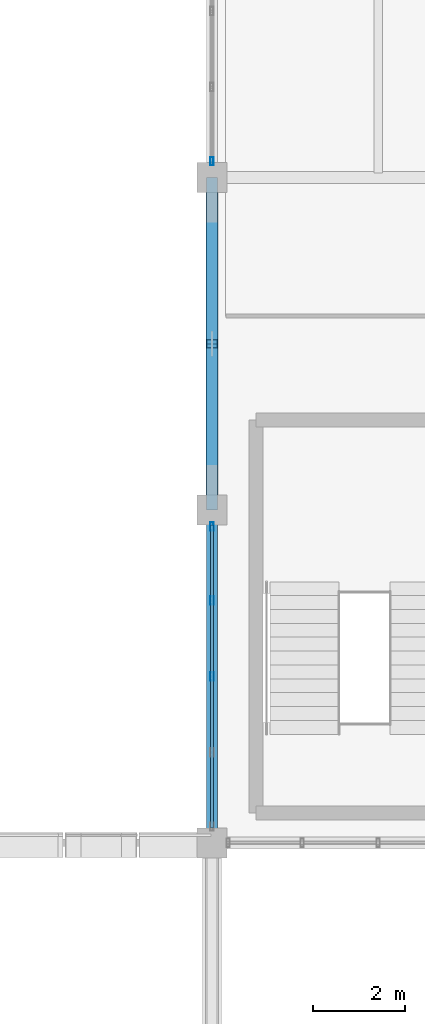
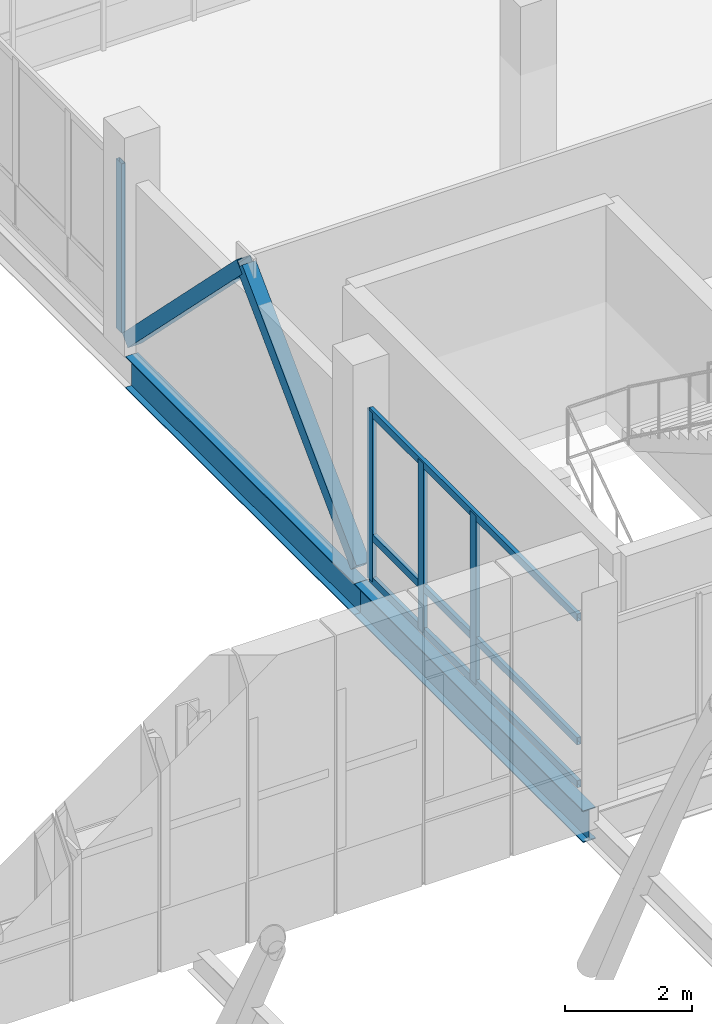
# One storey, part 47 of 144: 9 members, 2 beams, 2 elements without a shape of their own.
"""IFC4 building model written with IfcOpenShell, lengths in metres."""

from ifc_helpers import new_model, si_unit, direction, frame, origin, origin_2d, place, context, subcontext, project, spatial, hollow_rectangle, i_section, extrude, material, material_profile, profile_set, type_object, element, aggregate, save


model = new_model("IFC4")

# Units and contexts
model_context = context("Model", 3, precision=1e-05, world=origin(), true_north=direction((0.0, 1.0)))
body_context = subcontext(model_context, "Body", "Model", "MODEL_VIEW")
ifc_project = project(units=[si_unit("LENGTHUNIT", "METRE"), si_unit("AREAUNIT", "SQUARE_METRE"), si_unit("VOLUMEUNIT", "CUBIC_METRE"), si_unit("PLANEANGLEUNIT", "RADIAN"), si_unit("MASSUNIT", "GRAM", prefix="KILO")], contexts=[model_context])

# Site, building, storey
site_placement = place(None, origin())
site = spatial("IfcSite", under=ifc_project, at=site_placement, CompositionType="ELEMENT")
building_placement = place(site_placement, origin())
building = spatial("IfcBuilding", under=site, at=building_placement, Name="Yarey Park Central Fire Station", CompositionType="ELEMENT")
storey_placement = place(building_placement, frame((0.0, 0.0, 10.199951171875)))
storey = spatial("IfcBuildingStorey", under=building, at=storey_placement, Name="L03", CompositionType="ELEMENT", Elevation=10.199951171875)

# Curtain wall, members
ifc_material_1 = material(Name="Anodized Aluminium Frame", Category="aluminium")
curtain_wall_type = type_object("IfcCurtainWallType", Name="ENV_CW_HQ_L03", PredefinedType="NOTDEFINED", material=ifc_material_1)
curtain_wall_1_placement = place(storey_placement, origin())
curtain_wall_1 = element("IfcCurtainWall", 1, at=curtain_wall_1_placement, inside=storey, type_object=curtain_wall_type, Name="CW_L03_V4_W_93", PredefinedType="NOTDEFINED")
ifc_material_profile_1 = material_profile(ifc_material_1, hollow_rectangle(XDim=0.070068359375, YDim=0.179931640625, WallThickness=0.00390625, at=origin_2d()), Name="ALU 180x70x4")
ifc_profile_set_1 = profile_set([ifc_material_profile_1], Name="Anodized Aluminium Frame")
member_type_1 = type_object("IfcMemberType", Name="ENV_CW_MULLION", PredefinedType="MULLION", material=ifc_profile_set_1)
member_1_placement = place(storey_placement, frame((115.199951171875, 100.449951171875, 0.0), z_axis=(0.0, 0.0, 1.0), x_axis=(1.0, 0.0, 0.0)))
member_1 = element("IfcMember", 2, at=member_1_placement, type_object=member_type_1, Name="CW_L03_V4_W_93_MUL1", PredefinedType="MULLION", context=body_context, shape_type="SweptSolid", body=[
    extrude(hollow_rectangle(XDim=0.070068359375, YDim=0.179931640625, WallThickness=0.00390625, at=origin_2d()), origin(), (0.0, 0.0, 1.0), 3.25),
])
member_2_placement = place(storey_placement, frame((115.199951171875, 98.844970703125, 0.0), z_axis=(0.0, 0.0, 1.0), x_axis=(1.0, 0.0, 0.0)))
member_2 = element("IfcMember", 3, at=member_2_placement, type_object=member_type_1, Name="CW_L03_V4_W_93_MUL2", PredefinedType="MULLION", context=body_context, shape_type="SweptSolid", body=[
    extrude(hollow_rectangle(XDim=0.070068359375, YDim=0.179931640625, WallThickness=0.00390625, at=origin_2d()), origin(), (0.0, 0.0, 1.0), 3.25),
])
member_3_placement = place(storey_placement, frame((115.199951171875, 97.199951171875, 0.0), z_axis=(0.0, 0.0, 1.0), x_axis=(1.0, 0.0, 0.0)))
member_3 = element("IfcMember", 4, at=member_3_placement, type_object=member_type_1, Name="CW_L03_V4_W_93_MUL3", PredefinedType="MULLION", context=body_context, shape_type="SweptSolid", body=[
    extrude(hollow_rectangle(XDim=0.070068359375, YDim=0.179931640625, WallThickness=0.00390625, at=origin_2d()), origin(), (0.0, 0.0, 1.0), 3.25),
])

# Curtain wall, member
curtain_wall_2_placement = place(storey_placement, origin())
curtain_wall_2 = element("IfcCurtainWall", 5, at=curtain_wall_2_placement, inside=storey, type_object=curtain_wall_type, Name="CW_L03_V4_W_108", PredefinedType="NOTDEFINED")
member_4_placement = place(storey_placement, frame((115.199951171875, 108.35009765625, 0.0), z_axis=(0.0, 0.0, 1.0), x_axis=(1.0, 0.0, 0.0)))
member_4 = element("IfcMember", 6, at=member_4_placement, type_object=member_type_1, Name="CW_L03_V4_W_108_MUL5", PredefinedType="MULLION", context=body_context, shape_type="SweptSolid", body=[
    extrude(hollow_rectangle(XDim=0.070068359375, YDim=0.179931640625, WallThickness=0.00390625, at=origin_2d()), origin(), (0.0, 0.0, 1.0), 3.25),
])
aggregate(curtain_wall_2, [member_4])

# Member
ifc_material_profile_2 = material_profile(ifc_material_1, hollow_rectangle(XDim=0.070068359375, YDim=0.139892578125, WallThickness=0.00390625, at=origin_2d()), Name="ALU 140x70x4")
ifc_profile_set_2 = profile_set([ifc_material_profile_2], Name="Anodized Aluminium Frame")
member_type_2 = type_object("IfcMemberType", Name="ENV_CW_TRANSOM", PredefinedType="USERDEFINED", material=ifc_profile_set_2)
member_5_placement = place(storey_placement, frame((115.199951171875, 100.47509765625, 0.025146484375), z_axis=(0.0, -1.0, 0.0), x_axis=(1.0, 0.0, 0.0)))
member_5 = element("IfcMember", 7, at=member_5_placement, type_object=member_type_2, Name="CW_L03_V4_W_93_TRN1", ObjectType="TRANSOM", PredefinedType="USERDEFINED", context=body_context, shape_type="SweptSolid", body=[
    extrude(hollow_rectangle(XDim=0.070068359375, YDim=0.139892578125, WallThickness=0.00390625, at=origin_2d()), origin(), (0.0, 0.0, 1.0), 6.550048828125),
])

member_6_placement = place(storey_placement, frame((115.199951171875, 100.47509765625, 0.85009765625), z_axis=(0.0, -1.0, 0.0), x_axis=(1.0, 0.0, 0.0)))
member_6 = element("IfcMember", 8, at=member_6_placement, type_object=member_type_2, Name="CW_L03_V4_W_93_TRN2", ObjectType="TRANSOM", PredefinedType="USERDEFINED", context=body_context, shape_type="SweptSolid", body=[
    extrude(hollow_rectangle(XDim=0.070068359375, YDim=0.139892578125, WallThickness=0.00390625, at=origin_2d()), origin(), (0.0, 0.0, 1.0), 6.550048828125),
])

member_7_placement = place(storey_placement, frame((115.199951171875, 100.47509765625, 3.22509765625), z_axis=(0.0, -1.0, 0.0), x_axis=(1.0, 0.0, 0.0)))
member_7 = element("IfcMember", 9, at=member_7_placement, type_object=member_type_2, Name="CW_L03_V4_W_93_TRN3", ObjectType="TRANSOM", PredefinedType="USERDEFINED", context=body_context, shape_type="SweptSolid", body=[
    extrude(hollow_rectangle(XDim=0.070068359375, YDim=0.139892578125, WallThickness=0.00390625, at=origin_2d()), origin(), (0.0, 0.0, 1.0), 6.550048828125),
])

aggregate(curtain_wall_1, [member_1, member_2, member_3, member_5, member_6, member_7])

# Beams
ifc_material_2 = material(Name="Steel ASTM A992 Gr. 50", Category="steel")
ifc_material_profile_3 = material_profile(ifc_material_2, i_section(OverallWidth=0.22900390625, OverallDepth=0.612060546875, WebThickness=0.011962890625, FlangeThickness=0.01953125, at=origin_2d()), Name="W610x125")
ifc_profile_set_3 = profile_set([ifc_material_profile_3], Name="Steel ASTM A992 Gr. 50")
beam_type = type_object("IfcBeamType", Name="STR_BM_W610", PredefinedType="BEAM", material=ifc_profile_set_3)
for number, where, z_axis, x_axis, name in (
    (10, (115.199951171875, 93.60009765625, -0.56591796875), (0.0, 1.0, 0.0), (-1.0, 0.0, 0.0), "BMY L03 X1152 Y936"),
    (11, (115.199951171875, 100.800048828125, -0.56591796875), (0.0, 1.0, 0.0), (-1.0, 0.0, 0.0), "BMY L03 X1152 Y1008"),
):
    element("IfcBeam", number, at=place(storey_placement, frame(where, z_axis=z_axis, x_axis=x_axis)), inside=storey, type_object=beam_type, Name=name, PredefinedType="BEAM", context=body_context, shape_type="SweptSolid", body=[
        extrude(i_section(OverallWidth=0.22900390625, OverallDepth=0.612060546875, WebThickness=0.011962890625, FlangeThickness=0.01953125, at=origin_2d()), origin(), (0.0, 0.0, 1.0), 7.199951171875),
    ])

# Members
ifc_material_3 = material(Name="Steel ASTM A500 Gr. C", Category="steel")
ifc_material_profile_4 = material_profile(ifc_material_3, hollow_rectangle(XDim=0.25, YDim=0.25, WallThickness=0.012451171875, at=origin_2d()), Name="HSS 250x250x12.5")
ifc_profile_set_4 = profile_set([ifc_material_profile_4], Name="Steel ASTM A500 Gr. C")
member_type_3 = type_object("IfcMemberType", Name="STR_CBF_HSS250", PredefinedType="BRACE", material=ifc_profile_set_4)
member_8_placement = place(storey_placement, frame((115.199951171875, 100.800048828125, 0.050048828125), z_axis=(0.0, 0.707082803744, 0.707130757816), x_axis=(-1.0, 0.0, 0.0)))
element("IfcMember", 12, at=member_8_placement, inside=storey, type_object=member_type_3, Name="CBF_V4_W1_L03", PredefinedType="BRACE", context=body_context, shape_type="SweptSolid", body=[
    extrude(hollow_rectangle(XDim=0.25, YDim=0.25, WallThickness=0.012451171875, at=origin_2d()), origin(), (0.0, 0.0, 1.0), 5.091064453125),
])
member_9_placement = place(storey_placement, frame((115.199951171875, 108.0, 0.050048828125), z_axis=(0.0, -0.707106781187, 0.707106781187), x_axis=(1.0, 0.0, 0.0)))
element("IfcMember", 13, at=member_9_placement, inside=storey, type_object=member_type_3, Name="CBF_V4_W2_L03", PredefinedType="BRACE", context=body_context, shape_type="SweptSolid", body=[
    extrude(hollow_rectangle(XDim=0.25, YDim=0.25, WallThickness=0.012451171875, at=origin_2d()), origin(), (0.0, 0.0, 1.0), 5.09130859375),
])

save(model, "model.ifc")
